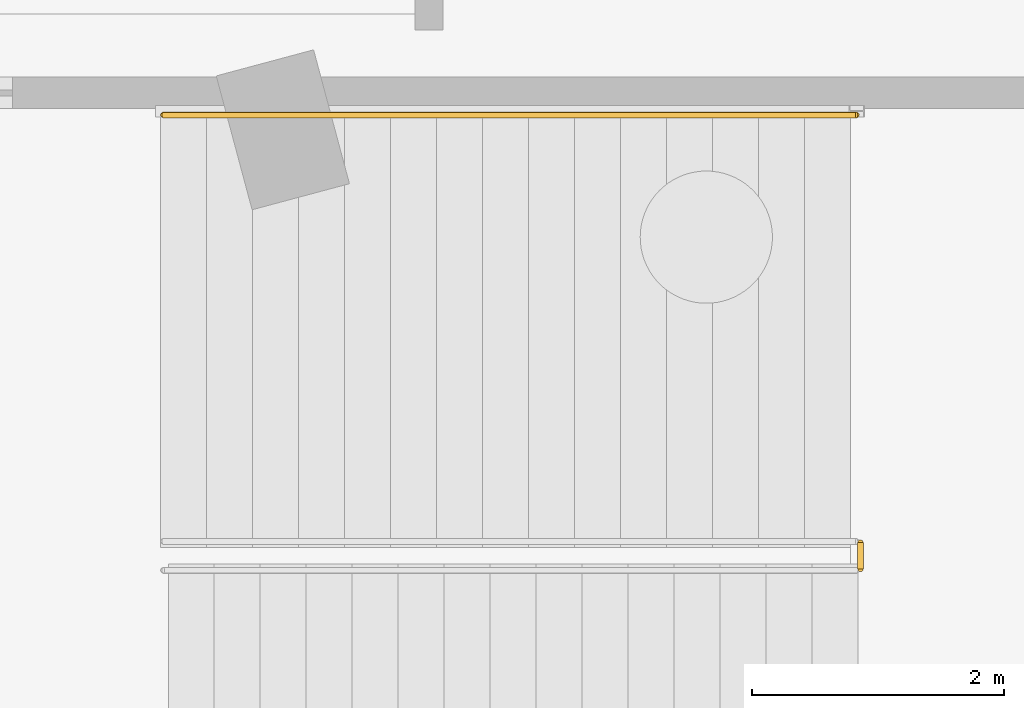
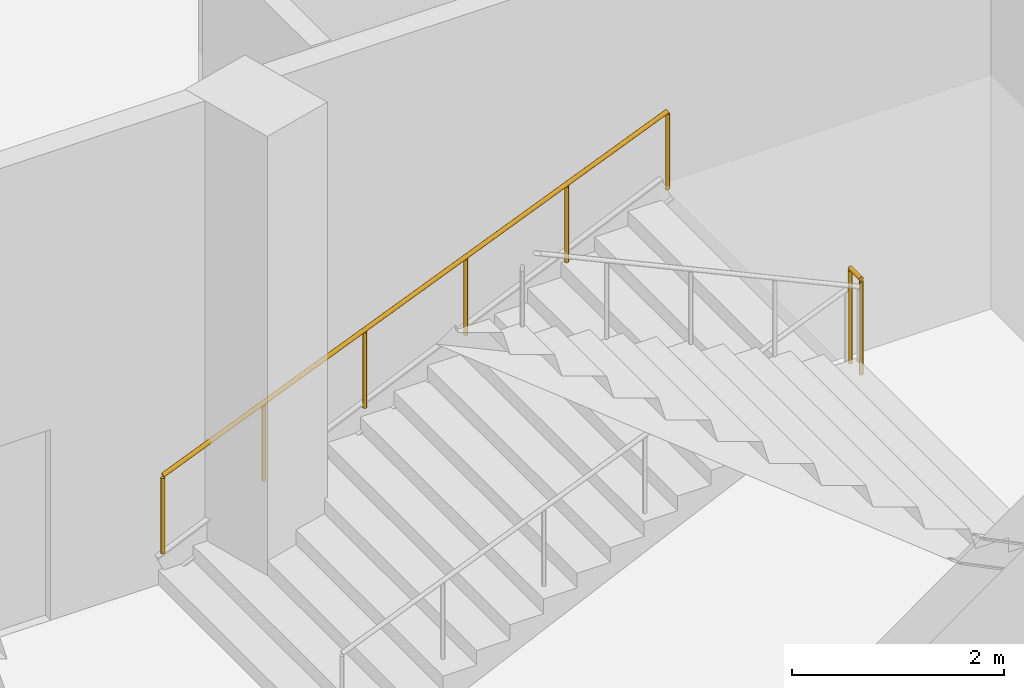
# One storey, part 91 of 93: 2 railings.
"""IFC4 building model written with IfcOpenShell, lengths in metres."""

from ifc_helpers import new_model, si_unit, direction, frame, origin, origin_2d, place, context, subcontext, project, spatial, circle, extrude, material, type_object, element, save


model = new_model("IFC4")

# Units and contexts
model_context = context("Model", 3, precision=1e-05, world=origin(), true_north=direction((0.0, 1.0)))
body_context = subcontext(model_context, "Body", "Model", "MODEL_VIEW")
ifc_project = project(units=[si_unit("LENGTHUNIT", "METRE"), si_unit("AREAUNIT", "SQUARE_METRE"), si_unit("VOLUMEUNIT", "CUBIC_METRE"), si_unit("PLANEANGLEUNIT", "RADIAN"), si_unit("MASSUNIT", "GRAM", prefix="KILO")], contexts=[model_context])

# Site, building, storey
site_placement = place(None, origin())
site = spatial("IfcSite", under=ifc_project, at=site_placement, CompositionType="ELEMENT")
building_placement = place(site_placement, origin())
building = spatial("IfcBuilding", under=site, at=building_placement, Name="Kalgoora Escarpment Arena", CompositionType="ELEMENT")
storey_placement = place(building_placement, origin())
storey = spatial("IfcBuildingStorey", under=building, at=storey_placement, Name="L00", CompositionType="ELEMENT", Elevation=0.0)

# Railings
ifc_material_1 = material(Name="Galvanised & powdercoated tubular steel", Category="steel")
railing_type_1 = type_object("IfcRailingType", Name="RAL-GUARD-1120", PredefinedType="GUARDRAIL", material=ifc_material_1)
railing_1_placement = place(storey_placement, frame((158.22509765625, 73.405029296875, 2.699951171875)))
element("IfcRailing", 1, at=railing_1_placement, inside=storey, type_object=railing_type_1, Name="ST21 L00 half-landing well guard", PredefinedType="GUARDRAIL", context=body_context, shape_type="SweptSolid", body=[
    extrude(circle(Radius=0.02392578125, at=origin_2d()), frame((0.0, 0.0, 1.09619140625), z_axis=(0.0, -1.0, 0.0), x_axis=(1.0, 0.0, 0.0)), (0.0, 0.0, 1.0), 0.2099609375),
    extrude(circle(Radius=0.02099609375, at=origin_2d()), origin(), (0.0, 0.0, 1.0), 1.072021484375),
    extrude(circle(Radius=0.02099609375, at=origin_2d()), frame((0.0, -0.2099609375, 0.0)), (0.0, 0.0, 1.0), 1.072021484375),
])
ifc_material_2 = material(Name="Brushed stainless steel 316 handrail", Category="steel")
railing_type_2 = type_object("IfcRailingType", Name="RAL-HAND-920", PredefinedType="HANDRAIL", material=ifc_material_2)
railing_2_placement = place(storey_placement, frame((152.68994140625, 76.800048828125, 0.388916015625)))
element("IfcRailing", 2, at=railing_2_placement, inside=storey, type_object=railing_type_2, Name="ST21 L00 pitched stair handrail F1L", PredefinedType="HANDRAIL", context=body_context, shape_type="SweptSolid", body=[
    extrude(circle(Radius=0.02392578125, at=origin_2d()), frame((0.0, 0.0, 0.89599609375), z_axis=(0.924430832969, 0.0, 0.381349754236), x_axis=(0.0, 1.0, 0.0)), (0.0, 0.0, 1.0), 5.955078125),
    extrude(circle(Radius=0.02099609375, at=origin_2d()), origin(), (0.0, 0.0, 1.0), 0.871826171875),
    extrude(circle(Radius=0.02099609375, at=origin_2d()), frame((1.10107421875, 0.0, 0.4541015625)), (0.0, 0.0, 1.0), 0.871826171875),
    extrude(circle(Radius=0.02099609375, at=origin_2d()), frame((2.2021484375, 0.0, 0.908447265625)), (0.0, 0.0, 1.0), 0.871826171875),
    extrude(circle(Radius=0.02099609375, at=origin_2d()), frame((3.302978515625, 0.0, 1.362548828125)), (0.0, 0.0, 1.0), 0.871826171875),
    extrude(circle(Radius=0.02099609375, at=origin_2d()), frame((4.404052734375, 0.0, 1.81689453125)), (0.0, 0.0, 1.0), 0.871826171875),
    extrude(circle(Radius=0.02099609375, at=origin_2d()), frame((5.505126953125, 0.0, 2.27099609375)), (0.0, 0.0, 1.0), 0.871826171875),
])

save(model, "model.ifc")
